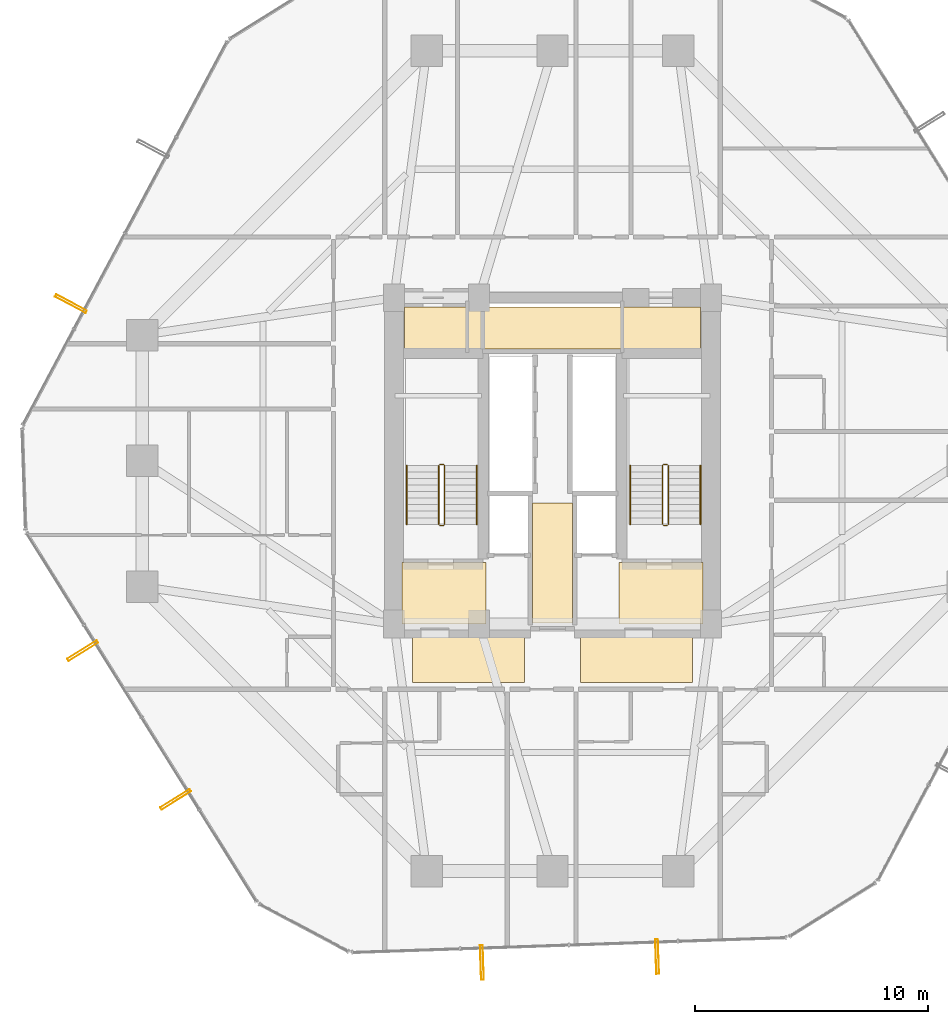
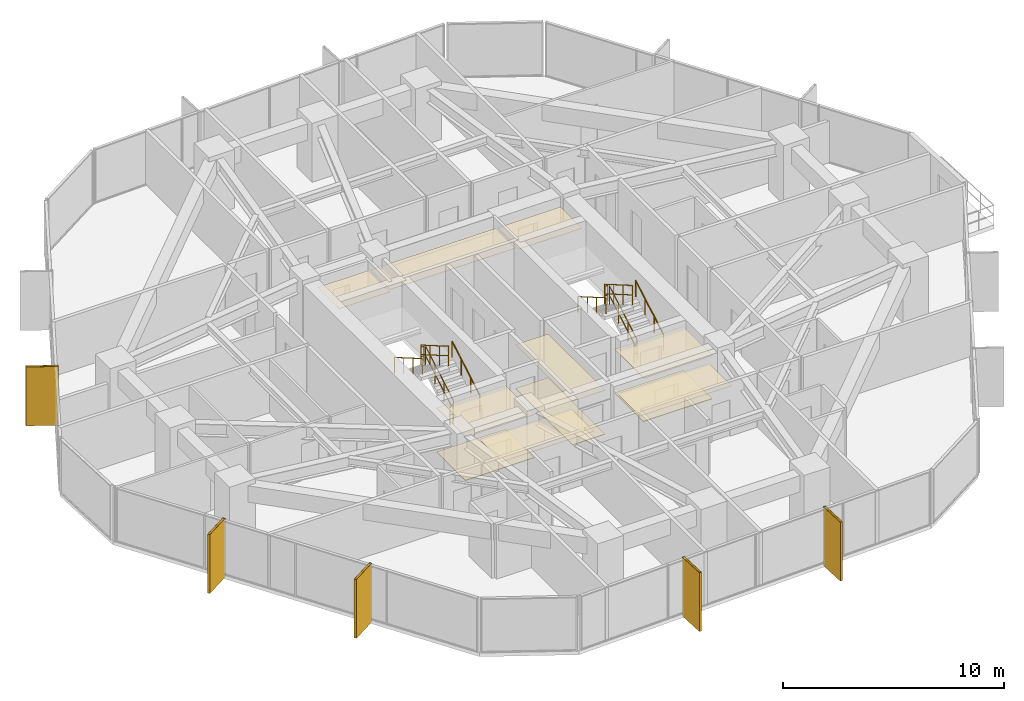
# One storey, part 38 of 39: 12 railings, 11 coverings, 5 shading devices.
"""IFC4 building model written with IfcOpenShell, lengths in metres."""

import ifcopenshell
import ifcopenshell.guid

model = None  # the IFC model being written
_history = None  # IfcOwnerHistory: only IFC2X3 demands one
_inside = {}  # id of a spatial element -> (the spatial element, [elements in it])
_under = {}  # id of a project, library or spatial element -> (it, [spatial elements below it])
_declared = {}  # id of a project -> (the project, [libraries it declares])
_typed = {}  # id of a type object -> (the type object, [elements of that type])
_made_of = {}  # id of a material, layer set ... -> (it, [elements and type objects made of it])


def new_model(schema):
    """Start an empty IFC model of exactly this schema.

    Asked for "IFC4X3", IfcOpenShell would pick the latest addendum, in which some entities
    have other attributes; the version numbers below select the first issue.
    IFC2X3 requires an IfcOwnerHistory on every rooted entity: one is made here for all.
    """
    global model, _history
    if schema == "IFC4X3":
        model = ifcopenshell.file(schema_version=(4, 3, 0, 0))
    else:
        model = ifcopenshell.file(schema=schema)
    _inside.clear()
    _under.clear()
    _declared.clear()
    _typed.clear()
    _made_of.clear()
    _history = None
    if model.schema == "IFC2X3":
        org = make("IfcOrganization", Name="unknown")
        user = make(
            "IfcPersonAndOrganization",
            ThePerson=make("IfcPerson", FamilyName="unknown"),
            TheOrganization=org,
        )
        app = make(
            "IfcApplication",
            ApplicationDeveloper=org,
            Version="unknown",
            ApplicationFullName="unknown",
            ApplicationIdentifier="unknown",
        )
        _history = make(
            "IfcOwnerHistory",
            OwningUser=user,
            OwningApplication=app,
            ChangeAction="ADDED",
            CreationDate=0,
        )
    return model


def make(cls, **values):
    """One entity of the class cls with the attributes given. An attribute that is None is left unset."""
    return model.create_entity(
        cls, **{name: value for name, value in values.items() if value is not None}
    )


def rooted(cls, **values):
    """An entity with a GlobalId (a new one), such as an element, a storey or a relation."""
    return make(cls, GlobalId=ifcopenshell.guid.new(), OwnerHistory=_history, **values)


def si_unit(unit_type, name, prefix=None):
    """IfcSIUnit, for example si_unit("LENGTHUNIT", "METRE", prefix="MILLI")."""
    return make("IfcSIUnit", UnitType=unit_type, Prefix=prefix, Name=name)


def assignment(units):
    """IfcUnitAssignment: the units of a project."""
    return None if units is None else make("IfcUnitAssignment", Units=units)


def point(xyz):
    """IfcCartesianPoint."""
    return None if xyz is None else make("IfcCartesianPoint", Coordinates=xyz)


def direction(xyz):
    """IfcDirection."""
    return None if xyz is None else make("IfcDirection", DirectionRatios=xyz)


def frame(location, z_axis=None, x_axis=None):
    """IfcAxis2Placement3D, a coordinate frame: its origin and axes. An axis left out is left unset."""
    return make(
        "IfcAxis2Placement3D",
        Location=point(location),
        Axis=direction(z_axis),
        RefDirection=direction(x_axis),
    )


def frame_2d(location, x_axis=None):
    """IfcAxis2Placement2D, a coordinate frame in the plane: its origin and x axis."""
    return make(
        "IfcAxis2Placement2D", Location=point(location), RefDirection=direction(x_axis)
    )


def origin():
    """The frame at (0, 0, 0) with its axes left unset."""
    return frame((0.0, 0.0, 0.0))


def origin_2d():
    """The frame at (0, 0) in the plane with its x axis left unset."""
    return frame_2d((0.0, 0.0))


def place(relative_to, where):
    """IfcLocalPlacement: puts the frame where relative to a parent placement (None: the world)."""
    return make(
        "IfcLocalPlacement", PlacementRelTo=relative_to, RelativePlacement=where
    )


def context(
    kind, dimensions, precision=None, world=None, true_north=None, identifier=None
):
    """IfcGeometricRepresentationContext, for example the 3D "Model" context."""
    return make(
        "IfcGeometricRepresentationContext",
        ContextIdentifier=identifier,
        ContextType=kind,
        CoordinateSpaceDimension=dimensions,
        Precision=precision,
        WorldCoordinateSystem=world,
        TrueNorth=true_north,
    )


def subcontext(parent, identifier, kind, view, scale=None):
    """IfcGeometricRepresentationSubContext, for example "Body" below "Model"."""
    return make(
        "IfcGeometricRepresentationSubContext",
        ContextIdentifier=identifier,
        ContextType=kind,
        ParentContext=parent,
        TargetScale=scale,
        TargetView=view,
    )


def project(units=None, contexts=None):
    """IfcProject with its units and contexts."""
    return rooted(
        "IfcProject",
        Name="project",
        RepresentationContexts=contexts,
        UnitsInContext=assignment(units),
    )


def spatial(cls, under=None, at=None, **own):
    """A site, building, storey or space (cls), placed at a placement, below another one or the project."""
    s = rooted(cls, ObjectPlacement=at, **own)
    if under is not None:
        _under.setdefault(under.id(), (under, []))[1].append(s)
    return s


def polyline(points):
    """IfcPolyline through the points."""
    return make("IfcPolyline", Points=[point(p) for p in points])


def profile(cls, at=None, kind="AREA", **sizes):
    """A parametric profile (cls). Its sizes go by their IFC names, for example OverallWidth=200.0."""
    return make(cls, ProfileType=kind, Position=at, **sizes)


def hollow_rectangle(**sizes):
    """IfcRectangleHollowProfileDef."""
    return profile("IfcRectangleHollowProfileDef", **sizes)


def circle(**sizes):
    """IfcCircleProfileDef."""
    return profile("IfcCircleProfileDef", **sizes)


def outline(outer, holes=None, kind="AREA"):
    """IfcArbitraryClosedProfileDef: a profile drawn as a closed curve; with holes, ...WithVoids."""
    if holes is None:
        return make("IfcArbitraryClosedProfileDef", ProfileType=kind, OuterCurve=outer)
    return make(
        "IfcArbitraryProfileDefWithVoids",
        ProfileType=kind,
        OuterCurve=outer,
        InnerCurves=holes,
    )


def extrude(swept, where, along, depth):
    """IfcExtrudedAreaSolid: the profile swept, set in the frame where, extruded along a direction by depth."""
    return make(
        "IfcExtrudedAreaSolid",
        SweptArea=swept,
        Position=where,
        ExtrudedDirection=direction(along),
        Depth=depth,
    )


def shape(context_of_items, identifier, shape_type, items):
    """IfcShapeRepresentation: the items that make up one representation, for example the "Body"."""
    return make(
        "IfcShapeRepresentation",
        ContextOfItems=context_of_items,
        RepresentationIdentifier=identifier,
        RepresentationType=shape_type,
        Items=items,
    )


def material(Name=None, Category=None):
    """IfcMaterial."""
    return make("IfcMaterial", Name=Name, Category=Category)


def layer(
    of_material, thickness, ventilated=None, Name=None, Category=None, Priority=None
):
    """IfcMaterialLayer: one layer of a wall or slab, of a material (None: an air gap)."""
    return make(
        "IfcMaterialLayer",
        Material=of_material,
        LayerThickness=thickness,
        IsVentilated=ventilated,
        Name=Name,
        Category=Category,
        Priority=Priority,
    )


def layer_set(layers, Name=None):
    """IfcMaterialLayerSet."""
    return make("IfcMaterialLayerSet", MaterialLayers=layers, LayerSetName=Name)


def material_profile(
    of_material, cross_section, Name=None, Category=None, Priority=None
):
    """IfcMaterialProfile: a cross section and its material."""
    return make(
        "IfcMaterialProfile",
        Name=Name,
        Material=of_material,
        Profile=cross_section,
        Priority=Priority,
        Category=Category,
    )


def profile_set(profiles, Name=None, composite=None):
    """IfcMaterialProfileSet."""
    return make(
        "IfcMaterialProfileSet",
        Name=Name,
        MaterialProfiles=profiles,
        CompositeProfile=composite,
    )


def made_of(thing, what):
    """Note that an element or type object is made of a material, layer set ...; save() writes the relation."""
    if what is not None:
        _made_of.setdefault(what.id(), (what, []))[1].append(thing)
    return thing


def type_object(cls, material=None, **own):
    """A type object (cls), such as IfcWallType, which elements share."""
    return made_of(rooted(cls, **own), material)


def element(
    cls,
    number,
    at=None,
    inside=None,
    cuts=None,
    type_object=None,
    material=None,
    context=None,
    identifier="Body",
    shape_type=None,
    held_by="IfcProductDefinitionShape",
    body=None,
    shapes=None,
    **own,
):
    """One element of the class cls, such as IfcWall. Its Tag is "e" and its number.

    at: its placement. inside: the storey or other place that contains it. cuts: it is an
    opening in that element (IfcRelVoidsElement). A single representation is given by context,
    identifier, shape_type and body (its items); several are given by shapes. held_by: the class
    of the entity that holds the representations. save() writes the other relations.
    """
    e = rooted(cls, Tag="e%d" % number, ObjectPlacement=at, **own)
    if body is not None:
        shapes = [shape(context, identifier, shape_type, body)]
    if shapes is not None:
        e.Representation = make(held_by, Representations=shapes)
    if inside is not None:
        _inside.setdefault(inside.id(), (inside, []))[1].append(e)
    if cuts is not None:
        rooted(
            "IfcRelVoidsElement", RelatingBuildingElement=cuts, RelatedOpeningElement=e
        )
    if type_object is not None:
        _typed.setdefault(type_object.id(), (type_object, []))[1].append(e)
    return made_of(e, material)


def aggregate(whole, parts):
    """IfcRelAggregates: a whole, such as a stair, and the parts it consists of."""
    return rooted("IfcRelAggregates", RelatingObject=whole, RelatedObjects=parts)


def save(model, path):
    """Write the relations noted so far, then the file.

    IfcRelAggregates (storeys below a building ...), IfcRelContainedInSpatialStructure (elements
    in a storey), IfcRelDefinesByType, IfcRelAssociatesMaterial and IfcRelDeclares: one each for
    every whole, place, type object, material and project.
    """
    for whole, parts in _under.values():
        aggregate(whole, parts)
    for where, things in _inside.values():
        rooted(
            "IfcRelContainedInSpatialStructure",
            RelatedElements=things,
            RelatingStructure=where,
        )
    for kind, things in _typed.values():
        rooted("IfcRelDefinesByType", RelatedObjects=things, RelatingType=kind)
    for what, things in _made_of.values():
        rooted("IfcRelAssociatesMaterial", RelatedObjects=things, RelatingMaterial=what)
    for by, libraries in _declared.values():
        rooted("IfcRelDeclares", RelatingContext=by, RelatedDefinitions=libraries)
    model.write(path)


model = new_model("IFC4")

# Units and contexts
model_context = context("Model", 3, precision=1e-05, world=origin(), true_north=direction((0.0, 1.0)))
body_context = subcontext(model_context, "Body", "Model", "MODEL_VIEW")
ifc_project = project(units=[si_unit("LENGTHUNIT", "METRE"), si_unit("AREAUNIT", "SQUARE_METRE"), si_unit("VOLUMEUNIT", "CUBIC_METRE"), si_unit("PLANEANGLEUNIT", "RADIAN"), si_unit("MASSUNIT", "GRAM", prefix="KILO")], contexts=[model_context])

# Site, building, storey
site_placement = place(None, origin())
site = spatial("IfcSite", under=ifc_project, at=site_placement, CompositionType="ELEMENT")
building_placement = place(site_placement, origin())
building = spatial("IfcBuilding", under=site, at=building_placement, Name="Veraguas Prism Commons", CompositionType="ELEMENT")
storey_placement = place(building_placement, frame((0.0, 0.0, 30.550048828125)))
storey = spatial("IfcBuildingStorey", under=building, at=storey_placement, Name="L07", CompositionType="ELEMENT", Elevation=30.550048828125)

# Shading devices
ifc_material_1 = material(Name="Anodised aluminium EN AW-6063 T6", Category="aluminium")
ifc_material_profile = material_profile(ifc_material_1, hollow_rectangle(XDim=0.1201171875, YDim=1.489990234375, WallThickness=0.006103515625, at=origin_2d()), Name="FIN120X1490X6")
ifc_profile_set = profile_set([ifc_material_profile], Name="Anodised aluminium EN AW-6063 T6")
shading_device_type = type_object("IfcShadingDeviceType", Name="Deep Pale-Metal Vertical Solar Fin 120x1490", PredefinedType="USERDEFINED", material=ifc_profile_set)
for number, where, z_axis, x_axis, name in (
    (1, (3.335693359375, 30.7451171875, -0.22998046875), (0.0, 0.0, 1.0), (-0.470086321571, -0.882620445193, 0.0), "Vertical Pale-Metal Solar Fin L07-F3B"),
    (2, (3.84521484375, 15.85791015625, -0.22998046875), (0.0, 0.0, 1.0), (0.529328566651, -0.848416919048, 0.0), "Vertical Pale-Metal Solar Fin L07-F4A"),
    (3, (7.826416015625, 9.4765625, -0.22998046875), (0.0, 0.0, 1.0), (0.529328566651, -0.848416919048, 0.0), "Vertical Pale-Metal Solar Fin L07-F4B"),
    (4, (20.9736328125, 2.474365234375, -0.22998046875), (0.0, 0.0, 1.0), (0.999415007608, 0.034200037528, 0.0), "Vertical Pale-Metal Solar Fin L07-F5A"),
    (5, (28.49072265625, 2.7314453125, -0.22998046875), (0.0, 0.0, 1.0), (0.999415007608, 0.034200037528, 0.0), "Vertical Pale-Metal Solar Fin L07-F5B"),
):
    element("IfcShadingDevice", number, at=place(storey_placement, frame(where, z_axis=z_axis, x_axis=x_axis)), inside=storey, type_object=shading_device_type, Name=name, ObjectType="FIN", PredefinedType="USERDEFINED", context=body_context, shape_type="SweptSolid", body=[
        extrude(hollow_rectangle(XDim=0.1201171875, YDim=1.489990234375, WallThickness=0.006103515625, at=origin_2d()), origin(), (0.0, 0.0, 1.0), 3.25),
    ])

# Coverings
ifc_material_2 = material(Name="Acoustic gypsum board")
ifc_layer_1 = layer(ifc_material_2, 0.02490234375, Name="Perforated Acoustic Ceiling Tile 25")
ifc_layer_set_1 = layer_set([ifc_layer_1], Name="Acoustic gypsum board")
covering_type_1 = type_object("IfcCoveringType", Name="Perforated Acoustic Ceiling Tile 25", PredefinedType="USERDEFINED", material=ifc_layer_set_1)
covering_1_placement = place(storey_placement, frame((0.0, 0.0, 2.425048828125)))
element("IfcCovering", 6, at=covering_1_placement, inside=storey, type_object=covering_type_1, Name="East Lobby Acoustic Ceiling L07", ObjectType="ACOUSTIC CEILING", PredefinedType="USERDEFINED", context=body_context, shape_type="SweptSolid", body=[
    extrude(outline(polyline([(26.85009765625, 17.0), (30.449951171875, 17.0), (30.449951171875, 19.64990234375), (26.85009765625, 19.64990234375), (26.85009765625, 17.0)])), origin(), (0.0, 0.0, 1.0), 0.02490234375),
])
ifc_material_3 = material(Name="Terrazzo stone finish", Category="masonry")
ifc_layer_2 = layer(ifc_material_3, 0.030029296875, Name="Polished Terrazzo Floor Finish 30", Category="masonry")
ifc_layer_set_2 = layer_set([ifc_layer_2], Name="Terrazzo stone finish")
covering_type_2 = type_object("IfcCoveringType", Name="Polished Terrazzo Floor Finish 30", PredefinedType="FLOORING", material=ifc_layer_set_2)
covering_2_placement = place(storey_placement, origin())
element("IfcCovering", 7, at=covering_2_placement, inside=storey, type_object=covering_type_2, Name="Terrazzo Lobby Flooring L07", PredefinedType="FLOORING", context=body_context, shape_type="SweptSolid", body=[
    extrude(outline(polyline([(23.14990234375, 17.050048828125), (24.85009765625, 17.050048828125), (24.85009765625, 22.199951171875), (23.14990234375, 22.199951171875), (23.14990234375, 17.050048828125)])), origin(), (0.0, 0.0, 1.0), 0.030029296875),
])
covering_3_placement = place(storey_placement, origin())
element("IfcCovering", 8, at=covering_3_placement, inside=storey, type_object=covering_type_2, Name="West FF Lobby Terrazzo Flooring L07", PredefinedType="FLOORING", context=body_context, shape_type="SweptSolid", body=[
    extrude(outline(polyline([(17.550048828125, 17.050048828125), (21.14990234375, 17.050048828125), (21.14990234375, 19.64990234375), (17.550048828125, 19.64990234375), (17.550048828125, 17.050048828125)])), origin(), (0.0, 0.0, 1.0), 0.030029296875),
])
covering_4_placement = place(storey_placement, origin())
element("IfcCovering", 9, at=covering_4_placement, inside=storey, type_object=covering_type_2, Name="East FF Lobby Terrazzo Flooring L07", PredefinedType="FLOORING", context=body_context, shape_type="SweptSolid", body=[
    extrude(outline(polyline([(26.85009765625, 17.050048828125), (30.449951171875, 17.050048828125), (30.449951171875, 19.64990234375), (26.85009765625, 19.64990234375), (26.85009765625, 17.050048828125)])), origin(), (0.0, 0.0, 1.0), 0.030029296875),
])

# Railings
ifc_material_4 = material(Name="Stainless steel AISI 316", Category="steel")
railing_type_1 = type_object("IfcRailingType", Name="Stair and Ramp Stainless Handrail 900", PredefinedType="HANDRAIL", material=ifc_material_4)
railing_1_placement = place(storey_placement, frame((20.75, 21.280029296875, 0.162353515625)))
element("IfcRailing", 10, at=railing_1_placement, inside=storey, type_object=railing_type_1, Name="Stair Handrail ST-01 L07-1", PredefinedType="HANDRAIL", context=body_context, shape_type="SweptSolid", body=[
    extrude(circle(Radius=0.02392578125, at=origin_2d()), frame((0.0, 0.0, 0.8759765625), z_axis=(0.0, 0.864876961378, 0.501983905795), x_axis=(-1.0, 0.0, 0.0)), (0.0, 0.0, 1.0), 2.913818359375),
    extrude(circle(Radius=0.02099609375, at=origin_2d()), origin(), (0.0, 0.0, 1.0), 0.851806640625),
    extrude(circle(Radius=0.02099609375, at=origin_2d()), frame((0.0, 0.840087890625, 0.487548828125)), (0.0, 0.0, 1.0), 0.851806640625),
    extrude(circle(Radius=0.02099609375, at=origin_2d()), frame((0.0, 1.679931640625, 0.97509765625)), (0.0, 0.0, 1.0), 0.851806640625),
    extrude(circle(Radius=0.02099609375, at=origin_2d()), frame((0.0, 2.52001953125, 1.462646484375)), (0.0, 0.0, 1.0), 0.851806640625),
])
railing_2_placement = place(storey_placement, frame((17.739990234375, 23.800048828125, 1.787353515625)))
element("IfcRailing", 11, at=railing_2_placement, inside=storey, type_object=railing_type_1, Name="Stair Handrail ST-01 L07-2", PredefinedType="HANDRAIL", context=body_context, shape_type="SweptSolid", body=[
    extrude(circle(Radius=0.02392578125, at=origin_2d()), frame((0.0, 0.0, 0.8759765625), z_axis=(0.0, -0.864876961378, 0.501983905795), x_axis=(1.0, 0.0, 0.0)), (0.0, 0.0, 1.0), 2.913818359375),
    extrude(circle(Radius=0.02099609375, at=origin_2d()), origin(), (0.0, 0.0, 1.0), 0.851806640625),
    extrude(circle(Radius=0.02099609375, at=origin_2d()), frame((0.0, -0.840087890625, 0.487548828125)), (0.0, 0.0, 1.0), 0.851806640625),
    extrude(circle(Radius=0.02099609375, at=origin_2d()), frame((0.0, -1.679931640625, 0.97509765625)), (0.0, 0.0, 1.0), 0.851806640625),
    extrude(circle(Radius=0.02099609375, at=origin_2d()), frame((0.0, -2.52001953125, 1.462646484375)), (0.0, 0.0, 1.0), 0.851806640625),
])
railing_3_placement = place(storey_placement, frame((30.35009765625, 21.280029296875, 0.162353515625)))
element("IfcRailing", 12, at=railing_3_placement, inside=storey, type_object=railing_type_1, Name="Stair Handrail ST-02 L07-1", PredefinedType="HANDRAIL", context=body_context, shape_type="SweptSolid", body=[
    extrude(circle(Radius=0.02392578125, at=origin_2d()), frame((0.0, 0.0, 0.8759765625), z_axis=(0.0, 0.864876961378, 0.501983905795), x_axis=(-1.0, 0.0, 0.0)), (0.0, 0.0, 1.0), 2.913818359375),
    extrude(circle(Radius=0.02099609375, at=origin_2d()), origin(), (0.0, 0.0, 1.0), 0.851806640625),
    extrude(circle(Radius=0.02099609375, at=origin_2d()), frame((0.0, 0.840087890625, 0.487548828125)), (0.0, 0.0, 1.0), 0.851806640625),
    extrude(circle(Radius=0.02099609375, at=origin_2d()), frame((0.0, 1.679931640625, 0.97509765625)), (0.0, 0.0, 1.0), 0.851806640625),
    extrude(circle(Radius=0.02099609375, at=origin_2d()), frame((0.0, 2.52001953125, 1.462646484375)), (0.0, 0.0, 1.0), 0.851806640625),
])
railing_4_placement = place(storey_placement, frame((27.340087890625, 23.800048828125, 1.787353515625)))
element("IfcRailing", 13, at=railing_4_placement, inside=storey, type_object=railing_type_1, Name="Stair Handrail ST-02 L07-2", PredefinedType="HANDRAIL", context=body_context, shape_type="SweptSolid", body=[
    extrude(circle(Radius=0.02392578125, at=origin_2d()), frame((0.0, 0.0, 0.8759765625), z_axis=(0.0, -0.864876961378, 0.501983905795), x_axis=(1.0, 0.0, 0.0)), (0.0, 0.0, 1.0), 2.913818359375),
    extrude(circle(Radius=0.02099609375, at=origin_2d()), origin(), (0.0, 0.0, 1.0), 0.851806640625),
    extrude(circle(Radius=0.02099609375, at=origin_2d()), frame((0.0, -0.840087890625, 0.487548828125)), (0.0, 0.0, 1.0), 0.851806640625),
    extrude(circle(Radius=0.02099609375, at=origin_2d()), frame((0.0, -1.679931640625, 0.97509765625)), (0.0, 0.0, 1.0), 0.851806640625),
    extrude(circle(Radius=0.02099609375, at=origin_2d()), frame((0.0, -2.52001953125, 1.462646484375)), (0.0, 0.0, 1.0), 0.851806640625),
])
railing_type_2 = type_object("IfcRailingType", Name="Stairwell Safety Guardrail 1100", PredefinedType="GUARDRAIL", material=ifc_material_4)
railing_5_placement = place(storey_placement, frame((19.3701171875, 21.280029296875, 0.162353515625)))
element("IfcRailing", 14, at=railing_5_placement, inside=storey, type_object=railing_type_2, Name="Stair Guard ST-01 L07-1", PredefinedType="GUARDRAIL", context=body_context, shape_type="SweptSolid", body=[
    extrude(circle(Radius=0.02392578125, at=origin_2d()), frame((0.0, 0.0, 1.076171875), z_axis=(0.0, 0.864876961378, 0.501983905795), x_axis=(-1.0, 0.0, 0.0)), (0.0, 0.0, 1.0), 2.913818359375),
    extrude(circle(Radius=0.02392578125, at=origin_2d()), frame((0.0, 0.0, 0.550048828125), z_axis=(0.0, 0.864876961378, 0.501983905795), x_axis=(-1.0, 0.0, 0.0)), (0.0, 0.0, 1.0), 2.913818359375),
    extrude(circle(Radius=0.02099609375, at=origin_2d()), origin(), (0.0, 0.0, 1.0), 1.052001953125),
    extrude(circle(Radius=0.02099609375, at=origin_2d()), frame((0.0, 0.840087890625, 0.487548828125)), (0.0, 0.0, 1.0), 1.052001953125),
    extrude(circle(Radius=0.02099609375, at=origin_2d()), frame((0.0, 1.679931640625, 0.97509765625)), (0.0, 0.0, 1.0), 1.052001953125),
    extrude(circle(Radius=0.02099609375, at=origin_2d()), frame((0.0, 2.52001953125, 1.462646484375)), (0.0, 0.0, 1.0), 1.052001953125),
])
railing_6_placement = place(storey_placement, frame((19.320068359375, 23.85009765625, 1.625)))
element("IfcRailing", 15, at=railing_6_placement, inside=storey, type_object=railing_type_2, Name="Stair Guard ST-01 L07-2", PredefinedType="GUARDRAIL", context=body_context, shape_type="SweptSolid", body=[
    extrude(circle(Radius=0.02392578125, at=origin_2d()), frame((0.0, 0.0, 1.076171875), z_axis=(-1.0, 0.0, 0.0), x_axis=(0.0, -1.0, 0.0)), (0.0, 0.0, 1.0), 0.150146484375),
    extrude(circle(Radius=0.02392578125, at=origin_2d()), frame((0.0, 0.0, 0.550048828125), z_axis=(-1.0, 0.0, 0.0), x_axis=(0.0, -1.0, 0.0)), (0.0, 0.0, 1.0), 0.150146484375),
    extrude(circle(Radius=0.02099609375, at=origin_2d()), origin(), (0.0, 0.0, 1.0), 1.052001953125),
    extrude(circle(Radius=0.02099609375, at=origin_2d()), frame((-0.150146484375, 0.0, 0.0)), (0.0, 0.0, 1.0), 1.052001953125),
])
railing_7_placement = place(storey_placement, frame((19.1201171875, 23.800048828125, 1.787353515625)))
element("IfcRailing", 16, at=railing_7_placement, inside=storey, type_object=railing_type_2, Name="Stair Guard ST-01 L07-3", PredefinedType="GUARDRAIL", context=body_context, shape_type="SweptSolid", body=[
    extrude(circle(Radius=0.02392578125, at=origin_2d()), frame((0.0, 0.0, 1.076171875), z_axis=(0.0, -0.864876961378, 0.501983905795), x_axis=(1.0, 0.0, 0.0)), (0.0, 0.0, 1.0), 2.913818359375),
    extrude(circle(Radius=0.02392578125, at=origin_2d()), frame((0.0, 0.0, 0.550048828125), z_axis=(0.0, -0.864876961378, 0.501983905795), x_axis=(1.0, 0.0, 0.0)), (0.0, 0.0, 1.0), 2.913818359375),
    extrude(circle(Radius=0.02099609375, at=origin_2d()), origin(), (0.0, 0.0, 1.0), 1.052001953125),
    extrude(circle(Radius=0.02099609375, at=origin_2d()), frame((0.0, -0.840087890625, 0.487548828125)), (0.0, 0.0, 1.0), 1.052001953125),
    extrude(circle(Radius=0.02099609375, at=origin_2d()), frame((0.0, -1.679931640625, 0.97509765625)), (0.0, 0.0, 1.0), 1.052001953125),
    extrude(circle(Radius=0.02099609375, at=origin_2d()), frame((0.0, -2.52001953125, 1.462646484375)), (0.0, 0.0, 1.0), 1.052001953125),
])
railing_8_placement = place(storey_placement, frame((19.320068359375, 21.22998046875, 0.0)))
element("IfcRailing", 17, at=railing_8_placement, inside=storey, type_object=railing_type_2, Name="Stair Guard ST-01 L07-4", PredefinedType="GUARDRAIL", context=body_context, shape_type="SweptSolid", body=[
    extrude(circle(Radius=0.02392578125, at=origin_2d()), frame((0.0, 0.0, 1.076171875), z_axis=(-1.0, 0.0, 0.0), x_axis=(0.0, -1.0, 0.0)), (0.0, 0.0, 1.0), 0.150146484375),
    extrude(circle(Radius=0.02392578125, at=origin_2d()), frame((0.0, 0.0, 0.550048828125), z_axis=(-1.0, 0.0, 0.0), x_axis=(0.0, -1.0, 0.0)), (0.0, 0.0, 1.0), 0.150146484375),
    extrude(circle(Radius=0.02099609375, at=origin_2d()), origin(), (0.0, 0.0, 1.0), 1.052001953125),
    extrude(circle(Radius=0.02099609375, at=origin_2d()), frame((-0.150146484375, 0.0, 0.0)), (0.0, 0.0, 1.0), 1.052001953125),
])
railing_9_placement = place(storey_placement, frame((28.969970703125, 21.280029296875, 0.162353515625)))
element("IfcRailing", 18, at=railing_9_placement, inside=storey, type_object=railing_type_2, Name="Stair Guard ST-02 L07-1", PredefinedType="GUARDRAIL", context=body_context, shape_type="SweptSolid", body=[
    extrude(circle(Radius=0.02392578125, at=origin_2d()), frame((0.0, 0.0, 1.076171875), z_axis=(0.0, 0.864876961378, 0.501983905795), x_axis=(-1.0, 0.0, 0.0)), (0.0, 0.0, 1.0), 2.913818359375),
    extrude(circle(Radius=0.02392578125, at=origin_2d()), frame((0.0, 0.0, 0.550048828125), z_axis=(0.0, 0.864876961378, 0.501983905795), x_axis=(-1.0, 0.0, 0.0)), (0.0, 0.0, 1.0), 2.913818359375),
    extrude(circle(Radius=0.02099609375, at=origin_2d()), origin(), (0.0, 0.0, 1.0), 1.052001953125),
    extrude(circle(Radius=0.02099609375, at=origin_2d()), frame((0.0, 0.840087890625, 0.487548828125)), (0.0, 0.0, 1.0), 1.052001953125),
    extrude(circle(Radius=0.02099609375, at=origin_2d()), frame((0.0, 1.679931640625, 0.97509765625)), (0.0, 0.0, 1.0), 1.052001953125),
    extrude(circle(Radius=0.02099609375, at=origin_2d()), frame((0.0, 2.52001953125, 1.462646484375)), (0.0, 0.0, 1.0), 1.052001953125),
])
railing_10_placement = place(storey_placement, frame((28.919921875, 23.85009765625, 1.625)))
element("IfcRailing", 19, at=railing_10_placement, inside=storey, type_object=railing_type_2, Name="Stair Guard ST-02 L07-2", PredefinedType="GUARDRAIL", context=body_context, shape_type="SweptSolid", body=[
    extrude(circle(Radius=0.02392578125, at=origin_2d()), frame((0.0, 0.0, 1.076171875), z_axis=(-1.0, 0.0, 0.0), x_axis=(0.0, -1.0, 0.0)), (0.0, 0.0, 1.0), 0.14990234375),
    extrude(circle(Radius=0.02392578125, at=origin_2d()), frame((0.0, 0.0, 0.550048828125), z_axis=(-1.0, 0.0, 0.0), x_axis=(0.0, -1.0, 0.0)), (0.0, 0.0, 1.0), 0.14990234375),
    extrude(circle(Radius=0.02099609375, at=origin_2d()), origin(), (0.0, 0.0, 1.0), 1.052001953125),
    extrude(circle(Radius=0.02099609375, at=origin_2d()), frame((-0.14990234375, 0.0, 0.0)), (0.0, 0.0, 1.0), 1.052001953125),
])
railing_11_placement = place(storey_placement, frame((28.719970703125, 23.800048828125, 1.787353515625)))
element("IfcRailing", 20, at=railing_11_placement, inside=storey, type_object=railing_type_2, Name="Stair Guard ST-02 L07-3", PredefinedType="GUARDRAIL", context=body_context, shape_type="SweptSolid", body=[
    extrude(circle(Radius=0.02392578125, at=origin_2d()), frame((0.0, 0.0, 1.076171875), z_axis=(0.0, -0.864876961378, 0.501983905795), x_axis=(1.0, 0.0, 0.0)), (0.0, 0.0, 1.0), 2.913818359375),
    extrude(circle(Radius=0.02392578125, at=origin_2d()), frame((0.0, 0.0, 0.550048828125), z_axis=(0.0, -0.864876961378, 0.501983905795), x_axis=(1.0, 0.0, 0.0)), (0.0, 0.0, 1.0), 2.913818359375),
    extrude(circle(Radius=0.02099609375, at=origin_2d()), origin(), (0.0, 0.0, 1.0), 1.052001953125),
    extrude(circle(Radius=0.02099609375, at=origin_2d()), frame((0.0, -0.840087890625, 0.487548828125)), (0.0, 0.0, 1.0), 1.052001953125),
    extrude(circle(Radius=0.02099609375, at=origin_2d()), frame((0.0, -1.679931640625, 0.97509765625)), (0.0, 0.0, 1.0), 1.052001953125),
    extrude(circle(Radius=0.02099609375, at=origin_2d()), frame((0.0, -2.52001953125, 1.462646484375)), (0.0, 0.0, 1.0), 1.052001953125),
])
railing_12_placement = place(storey_placement, frame((28.919921875, 21.22998046875, 0.0)))
element("IfcRailing", 21, at=railing_12_placement, inside=storey, type_object=railing_type_2, Name="Stair Guard ST-02 L07-4", PredefinedType="GUARDRAIL", context=body_context, shape_type="SweptSolid", body=[
    extrude(circle(Radius=0.02392578125, at=origin_2d()), frame((0.0, 0.0, 1.076171875), z_axis=(-1.0, 0.0, 0.0), x_axis=(0.0, -1.0, 0.0)), (0.0, 0.0, 1.0), 0.14990234375),
    extrude(circle(Radius=0.02392578125, at=origin_2d()), frame((0.0, 0.0, 0.550048828125), z_axis=(-1.0, 0.0, 0.0), x_axis=(0.0, -1.0, 0.0)), (0.0, 0.0, 1.0), 0.14990234375),
    extrude(circle(Radius=0.02099609375, at=origin_2d()), origin(), (0.0, 0.0, 1.0), 1.052001953125),
    extrude(circle(Radius=0.02099609375, at=origin_2d()), frame((-0.14990234375, 0.0, 0.0)), (0.0, 0.0, 1.0), 1.052001953125),
])

# Coverings
ifc_layer_3 = layer(ifc_material_2, 0.02001953125, Name="Suspended Gypsum Ceiling 20")
ifc_layer_set_3 = layer_set([ifc_layer_3], Name="Acoustic gypsum board")
covering_type_3 = type_object("IfcCoveringType", Name="Suspended Gypsum Ceiling 20", PredefinedType="CEILING", material=ifc_layer_set_3)
covering_5_placement = place(storey_placement, frame((0.0, 0.0, 2.429931640625)))
element("IfcCovering", 22, at=covering_5_placement, inside=storey, type_object=covering_type_3, Name="West Lobby Suspended Gypsum Ceiling L07", PredefinedType="CEILING", context=body_context, shape_type="SweptSolid", body=[
    extrude(outline(polyline([(17.550048828125, 17.0), (21.14990234375, 17.0), (21.14990234375, 19.64990234375), (17.550048828125, 19.64990234375), (17.550048828125, 17.0)])), origin(), (0.0, 0.0, 1.0), 0.02001953125),
])
covering_6_placement = place(storey_placement, frame((0.0, 0.0, 2.429931640625)))
element("IfcCovering", 23, at=covering_6_placement, inside=storey, type_object=covering_type_3, Name="Core Lobby Acoustic Ceiling L07-1", PredefinedType="CEILING", context=body_context, shape_type="SweptSolid", body=[
    extrude(outline(polyline([(18.0, 14.5), (22.800048828125, 14.5), (22.800048828125, 16.550048828125), (18.0, 16.550048828125), (18.0, 14.5)])), origin(), (0.0, 0.0, 1.0), 0.02001953125),
])
covering_7_placement = place(storey_placement, frame((0.0, 0.0, 2.429931640625)))
element("IfcCovering", 24, at=covering_7_placement, inside=storey, type_object=covering_type_3, Name="Core Lobby Acoustic Ceiling L07-2", PredefinedType="CEILING", context=body_context, shape_type="SweptSolid", body=[
    extrude(outline(polyline([(25.199951171875, 14.5), (30.0, 14.5), (30.0, 16.550048828125), (25.199951171875, 16.550048828125), (25.199951171875, 14.5)])), origin(), (0.0, 0.0, 1.0), 0.02001953125),
])
covering_8_placement = place(storey_placement, frame((0.0, 0.0, 2.429931640625)))
element("IfcCovering", 25, at=covering_8_placement, inside=storey, type_object=covering_type_3, Name="Core Lobby Acoustic Ceiling L07-3", PredefinedType="CEILING", context=body_context, shape_type="SweptSolid", body=[
    extrude(outline(polyline([(23.14990234375, 17.050048828125), (24.85009765625, 17.050048828125), (24.85009765625, 22.199951171875), (23.14990234375, 22.199951171875), (23.14990234375, 17.050048828125)])), origin(), (0.0, 0.0, 1.0), 0.02001953125),
])
covering_9_placement = place(storey_placement, frame((0.0, 0.0, 2.429931640625)))
element("IfcCovering", 26, at=covering_9_placement, inside=storey, type_object=covering_type_3, Name="Core Lobby Acoustic Ceiling L07-4", PredefinedType="CEILING", context=body_context, shape_type="SweptSolid", body=[
    extrude(outline(polyline([(17.64990234375, 28.64990234375), (20.300048828125, 28.64990234375), (20.300048828125, 30.60009765625), (17.64990234375, 30.60009765625), (17.64990234375, 28.64990234375)])), origin(), (0.0, 0.0, 1.0), 0.02001953125),
])
covering_10_placement = place(storey_placement, frame((0.0, 0.0, 2.429931640625)))
element("IfcCovering", 27, at=covering_10_placement, inside=storey, type_object=covering_type_3, Name="Core Lobby Acoustic Ceiling L07-5", PredefinedType="CEILING", context=body_context, shape_type="SweptSolid", body=[
    extrude(outline(polyline([(27.050048828125, 28.64990234375), (30.35009765625, 28.64990234375), (30.35009765625, 30.60009765625), (27.050048828125, 30.60009765625), (27.050048828125, 28.64990234375)])), origin(), (0.0, 0.0, 1.0), 0.02001953125),
])
covering_11_placement = place(storey_placement, frame((0.0, 0.0, 2.429931640625)))
element("IfcCovering", 28, at=covering_11_placement, inside=storey, type_object=covering_type_3, Name="Core Lobby Acoustic Ceiling L07-6", PredefinedType="CEILING", context=body_context, shape_type="SweptSolid", body=[
    extrude(outline(polyline([(20.39990234375, 28.800048828125), (26.949951171875, 28.800048828125), (26.949951171875, 30.60009765625), (20.39990234375, 30.60009765625), (20.39990234375, 28.800048828125)])), origin(), (0.0, 0.0, 1.0), 0.02001953125),
])

save(model, "model.ifc")
